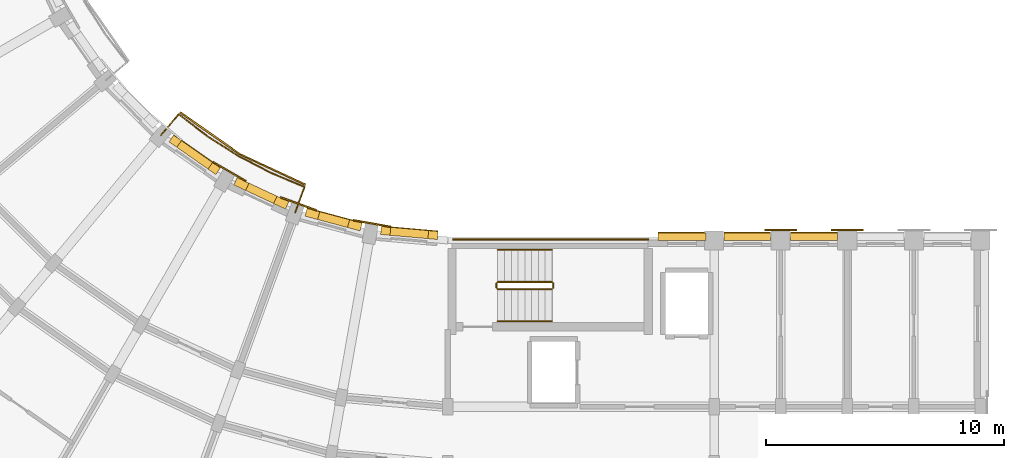
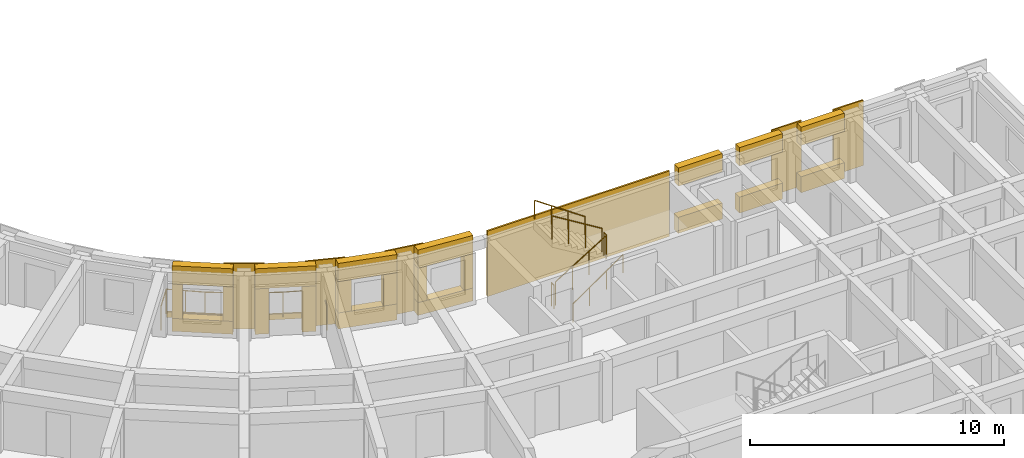
# One storey, part 40 of 54: 28 coverings, 7 railings.
"""IFC4 building model written with IfcOpenShell, lengths in metres."""

from ifc_helpers import new_model, si_unit, direction, frame, origin, origin_2d, place, context, subcontext, project, spatial, polyline, circle, outline, extrude, material, layer, layer_set, type_object, element, save


model = new_model("IFC4")

# Units and contexts
model_context = context("Model", 3, precision=1e-05, world=origin(), true_north=direction((0.0, 1.0)))
body_context = subcontext(model_context, "Body", "Model", "MODEL_VIEW")
ifc_project = project(units=[si_unit("LENGTHUNIT", "METRE"), si_unit("AREAUNIT", "SQUARE_METRE"), si_unit("VOLUMEUNIT", "CUBIC_METRE"), si_unit("PLANEANGLEUNIT", "RADIAN"), si_unit("MASSUNIT", "GRAM", prefix="KILO")], contexts=[model_context])

# Site, building, storey
site_placement = place(None, origin())
site = spatial("IfcSite", under=ifc_project, at=site_placement, CompositionType="ELEMENT")
building_placement = place(site_placement, origin())
building = spatial("IfcBuilding", under=site, at=building_placement, Name="Kiranvali Square Residences", CompositionType="ELEMENT")
storey_placement = place(building_placement, frame((0.0, 0.0, 15.0)))
storey = spatial("IfcBuildingStorey", under=building, at=storey_placement, Name="L04", CompositionType="ELEMENT", Elevation=15.0)

# Coverings
ifc_material_1 = material(Name="Carved Porbandar limestone classical entablature and cornice", Category="masonry")
ifc_layer_1 = layer(ifc_material_1, 0.06201171875)
ifc_layer_set_1 = layer_set([ifc_layer_1], Name="Carved Porbandar limestone classical entablature and cornice")
covering_type_1 = type_object("IfcCoveringType", Name="COV-CLAD-GBAL", PredefinedType="CLADDING", material=ifc_layer_set_1)
covering_1_placement = place(storey_placement, frame((0.0, 0.0, -0.219970703125)))
element("IfcCovering", 1, at=covering_1_placement, inside=storey, type_object=covering_type_1, Name="Block C L04 garden balcony limestone fascia 1", PredefinedType="CLADDING", context=body_context, shape_type="SweptSolid", body=[
    extrude(outline(polyline([(42.221435546875, 31.774169921875), (39.4599609375, 33.061767578125), (36.964111328125, 34.8095703125), (36.92041015625, 34.757568359375), (39.426025390625, 33.0029296875), (42.1982421875, 31.710205078125), (42.221435546875, 31.774169921875)])), origin(), (0.0, 0.0, 1.0), 0.27001953125),
])
ifc_material_2 = material(Name="Honed Porbandar limestone ashlar facade cladding", Category="masonry")
ifc_layer_2 = layer(ifc_material_2, 0.3798828125)
ifc_layer_set_2 = layer_set([ifc_layer_2], Name="Honed Porbandar limestone ashlar facade cladding")
covering_type_2 = type_object("IfcCoveringType", Name="COV-CLAD-JAMB", PredefinedType="CLADDING", material=ifc_layer_set_2)
covering_2_placement = place(storey_placement, frame((0.0, 0.0, 0.6220703125)))
element("IfcCovering", 2, at=covering_2_placement, inside=storey, type_object=covering_type_2, Name="L04 deep limestone window jamb reveal C-L04-GDN-00.L", PredefinedType="CLADDING", context=body_context, shape_type="SweptSolid", body=[
    extrude(outline(polyline([(47.791259765625, 29.777099609375), (47.394287109375, 29.811767578125), (47.36474609375, 29.4736328125), (47.76171875, 29.43896484375), (47.791259765625, 29.777099609375)])), origin(), (0.0, 0.0, 1.0), 1.64990234375),
])
covering_3_placement = place(storey_placement, frame((0.0, 0.0, 0.6220703125)))
element("IfcCovering", 3, at=covering_3_placement, inside=storey, type_object=covering_type_2, Name="L04 deep limestone window jamb reveal C-L04-GDN-00.R", PredefinedType="CLADDING", context=body_context, shape_type="SweptSolid", body=[
    extrude(outline(polyline([(45.80029296875, 29.951171875), (45.4033203125, 29.986083984375), (45.373779296875, 29.647705078125), (45.770751953125, 29.613037109375), (45.80029296875, 29.951171875)])), origin(), (0.0, 0.0, 1.0), 1.64990234375),
])
covering_4_placement = place(storey_placement, frame((0.0, 0.0, 0.77197265625)))
element("IfcCovering", 4, at=covering_4_placement, inside=storey, type_object=covering_type_2, Name="L04 deep limestone window jamb reveal C-L04-GDN-01.L", PredefinedType="CLADDING", context=body_context, shape_type="SweptSolid", body=[
    extrude(outline(polyline([(44.598388671875, 30.1279296875), (44.068603515625, 30.269775390625), (43.980712890625, 29.94189453125), (44.510498046875, 29.800048828125), (44.598388671875, 30.1279296875)])), origin(), (0.0, 0.0, 1.0), 1.5),
])
covering_5_placement = place(storey_placement, frame((0.0, 0.0, 0.77197265625)))
element("IfcCovering", 5, at=covering_5_placement, inside=storey, type_object=covering_type_2, Name="L04 deep limestone window jamb reveal C-L04-GDN-01.R", PredefinedType="CLADDING", context=body_context, shape_type="SweptSolid", body=[
    extrude(outline(polyline([(42.812744140625, 30.6064453125), (42.282958984375, 30.748291015625), (42.195068359375, 30.42041015625), (42.72509765625, 30.2783203125), (42.812744140625, 30.6064453125)])), origin(), (0.0, 0.0, 1.0), 1.5),
])
covering_6_placement = place(storey_placement, origin())
element("IfcCovering", 6, at=covering_6_placement, inside=storey, type_object=covering_type_2, Name="L04 deep limestone window jamb reveal C-L04-GDN-02.L", PredefinedType="CLADDING", context=body_context, shape_type="SweptSolid", body=[
    extrude(outline(polyline([(41.514892578125, 31.02783203125), (41.017822265625, 31.259765625), (40.874267578125, 30.951904296875), (41.37158203125, 30.72021484375), (41.514892578125, 31.02783203125)])), origin(), (0.0, 0.0, 1.0), 2.179931640625),
])
covering_7_placement = place(storey_placement, origin())
element("IfcCovering", 7, at=covering_7_placement, inside=storey, type_object=covering_type_2, Name="L04 deep limestone window jamb reveal C-L04-GDN-02.R", PredefinedType="CLADDING", context=body_context, shape_type="SweptSolid", body=[
    extrude(outline(polyline([(39.839599609375, 31.80908203125), (39.342529296875, 32.041015625), (39.198974609375, 31.733154296875), (39.696044921875, 31.50146484375), (39.839599609375, 31.80908203125)])), origin(), (0.0, 0.0, 1.0), 2.179931640625),
])
covering_8_placement = place(storey_placement, frame((0.0, 0.0, 0.6220703125)))
element("IfcCovering", 8, at=covering_8_placement, inside=storey, type_object=covering_type_2, Name="L04 deep limestone window jamb reveal C-L04-GDN-03.L", PredefinedType="CLADDING", context=body_context, shape_type="SweptSolid", body=[
    extrude(outline(polyline([(38.634521484375, 32.44970703125), (38.30810546875, 32.67822265625), (38.11328125, 32.400146484375), (38.43994140625, 32.171630859375), (38.634521484375, 32.44970703125)])), origin(), (0.0, 0.0, 1.0), 1.64990234375),
])
covering_9_placement = place(storey_placement, frame((0.0, 0.0, 0.6220703125)))
element("IfcCovering", 9, at=covering_9_placement, inside=storey, type_object=covering_type_2, Name="L04 deep limestone window jamb reveal C-L04-GDN-03.R", PredefinedType="CLADDING", context=body_context, shape_type="SweptSolid", body=[
    extrude(outline(polyline([(36.99755859375, 33.595947265625), (36.671142578125, 33.824462890625), (36.476318359375, 33.54638671875), (36.802734375, 33.31787109375), (36.99755859375, 33.595947265625)])), origin(), (0.0, 0.0, 1.0), 1.64990234375),
])
ifc_layer_3 = layer(ifc_material_2, 0.06494140625)
ifc_layer_set_3 = layer_set([ifc_layer_3], Name="Honed Porbandar limestone ashlar facade cladding")
covering_type_3 = type_object("IfcCoveringType", Name="COV-CLAD-PIER", PredefinedType="CLADDING", material=ifc_layer_set_3)
covering_10_placement = place(storey_placement, frame((0.0, 0.0, 0.0048828125)))
element("IfcCovering", 10, at=covering_10_placement, inside=storey, type_object=covering_type_3, Name="Block C L04 garden stair limestone ashlar cladding", PredefinedType="CLADDING", context=body_context, shape_type="SweptSolid", body=[
    extrude(outline(polyline([(48.39990234375, 29.402099609375), (56.64990234375, 29.402099609375), (56.64990234375, 29.47998046875), (48.39990234375, 29.47998046875), (48.39990234375, 29.402099609375)])), origin(), (0.0, 0.0, 1.0), 3.14013671875),
])
ifc_layer_4 = layer(ifc_material_2, 0.050048828125)
ifc_layer_set_4 = layer_set([ifc_layer_4], Name="Honed Porbandar limestone ashlar facade cladding")
covering_type_4 = type_object("IfcCoveringType", Name="COV-CLAD-PIER-IN", PredefinedType="CLADDING", material=ifc_layer_set_4)
covering_11_placement = place(storey_placement, frame((0.0, 0.0, 0.0048828125)))
element("IfcCovering", 11, at=covering_11_placement, inside=storey, type_object=covering_type_4, Name="L04 Classical garden courtyard pilaster CLAD-PRIN-C-L04-A01", PredefinedType="CLADDING", context=body_context, shape_type="SweptSolid", body=[
    extrude(outline(polyline([(45.804443359375, 30.007568359375), (44.228759765625, 30.285400390625), (44.217041015625, 30.218994140625), (45.792724609375, 29.941162109375), (45.804443359375, 30.007568359375)])), origin(), (0.0, 0.0, 1.0), 3.14013671875),
])
covering_12_placement = place(storey_placement, frame((0.0, 0.0, 0.0048828125)))
element("IfcCovering", 12, at=covering_12_placement, inside=storey, type_object=covering_type_4, Name="L04 Classical garden courtyard pilaster CLAD-PRIN-C-L04-A02", PredefinedType="CLADDING", context=body_context, shape_type="SweptSolid", body=[
    extrude(outline(polyline([(42.681884765625, 30.699951171875), (41.17822265625, 31.2470703125), (41.1552734375, 31.183837890625), (42.65869140625, 30.636474609375), (42.681884765625, 30.699951171875)])), origin(), (0.0, 0.0, 1.0), 3.14013671875),
])
covering_13_placement = place(storey_placement, frame((0.0, 0.0, 0.0048828125)))
element("IfcCovering", 13, at=covering_13_placement, inside=storey, type_object=covering_type_4, Name="L04 Classical garden courtyard pilaster CLAD-PRIN-C-L04-A03", PredefinedType="CLADDING", context=body_context, shape_type="SweptSolid", body=[
    extrude(outline(polyline([(39.726806640625, 31.924072265625), (38.341064453125, 32.72412109375), (38.307373046875, 32.66552734375), (39.693115234375, 31.865478515625), (39.726806640625, 31.924072265625)])), origin(), (0.0, 0.0, 1.0), 3.14013671875),
])
covering_14_placement = place(storey_placement, frame((0.0, 0.0, 0.0048828125)))
element("IfcCovering", 14, at=covering_14_placement, inside=storey, type_object=covering_type_4, Name="L04 Classical limestone pilaster casing CLAD-PRA1I-C-L04-U140", PredefinedType="CLADDING", context=body_context, shape_type="SweptSolid", body=[
    extrude(outline(polyline([(61.52001953125, 29.800537109375), (62.8798828125, 29.800537109375), (62.8798828125, 29.867919921875), (61.52001953125, 29.867919921875), (61.52001953125, 29.800537109375)])), origin(), (0.0, 0.0, 1.0), 3.14013671875),
])
covering_15_placement = place(storey_placement, frame((0.0, 0.0, 0.0048828125)))
element("IfcCovering", 15, at=covering_15_placement, inside=storey, type_object=covering_type_4, Name="L04 Classical limestone pilaster casing CLAD-PRA1I-C-L04-U167", PredefinedType="CLADDING", context=body_context, shape_type="SweptSolid", body=[
    extrude(outline(polyline([(64.320068359375, 29.800537109375), (65.679931640625, 29.800537109375), (65.679931640625, 29.867919921875), (64.320068359375, 29.867919921875), (64.320068359375, 29.800537109375)])), origin(), (0.0, 0.0, 1.0), 3.14013671875),
])
ifc_layer_5 = layer(ifc_material_2, 0.360107421875)
ifc_layer_set_5 = layer_set([ifc_layer_5], Name="Honed Porbandar limestone ashlar facade cladding")
covering_type_5 = type_object("IfcCoveringType", Name="COV-CLAD-WALL", PredefinedType="CLADDING", material=ifc_layer_set_5)
covering_16_placement = place(storey_placement, frame((0.0, 0.0, 2.27197265625)))
element("IfcCovering", 16, at=covering_16_placement, inside=storey, type_object=covering_type_5, Name="L04 light limestone spandrel lintel C-L04-GDN-00", PredefinedType="CLADDING", context=body_context, shape_type="SweptSolid", body=[
    extrude(outline(polyline([(47.791259765625, 29.777099609375), (45.4033203125, 29.986083984375), (45.373779296875, 29.647705078125), (47.76171875, 29.43896484375), (47.791259765625, 29.777099609375)])), origin(), (0.0, 0.0, 1.0), 0.873046875),
])
covering_17_placement = place(storey_placement, frame((0.0, 0.0, 2.27197265625)))
element("IfcCovering", 17, at=covering_17_placement, inside=storey, type_object=covering_type_5, Name="L04 light limestone spandrel lintel C-L04-GDN-01", PredefinedType="CLADDING", context=body_context, shape_type="SweptSolid", body=[
    extrude(outline(polyline([(44.598388671875, 30.1279296875), (42.282958984375, 30.748291015625), (42.195068359375, 30.42041015625), (44.510498046875, 29.800048828125), (44.598388671875, 30.1279296875)])), origin(), (0.0, 0.0, 1.0), 0.873046875),
])
covering_18_placement = place(storey_placement, frame((0.0, 0.0, 2.179931640625)))
element("IfcCovering", 18, at=covering_18_placement, inside=storey, type_object=covering_type_5, Name="L04 light limestone spandrel lintel C-L04-GDN-02", PredefinedType="CLADDING", context=body_context, shape_type="SweptSolid", body=[
    extrude(outline(polyline([(41.514892578125, 31.02783203125), (39.342529296875, 32.041015625), (39.198974609375, 31.733154296875), (41.37158203125, 30.72021484375), (41.514892578125, 31.02783203125)])), origin(), (0.0, 0.0, 1.0), 0.965087890625),
])
covering_19_placement = place(storey_placement, frame((0.0, 0.0, 2.27197265625)))
element("IfcCovering", 19, at=covering_19_placement, inside=storey, type_object=covering_type_5, Name="L04 light limestone spandrel lintel C-L04-GDN-03", PredefinedType="CLADDING", context=body_context, shape_type="SweptSolid", body=[
    extrude(outline(polyline([(38.634521484375, 32.44970703125), (36.671142578125, 33.824462890625), (36.476318359375, 33.54638671875), (38.43994140625, 32.171630859375), (38.634521484375, 32.44970703125)])), origin(), (0.0, 0.0, 1.0), 0.873046875),
])
covering_20_placement = place(storey_placement, frame((0.0, 0.0, 2.27197265625)))
element("IfcCovering", 20, at=covering_20_placement, inside=storey, type_object=covering_type_5, Name="L04 light limestone spandrel lintel C-L04-A1IN-0", PredefinedType="CLADDING", context=body_context, shape_type="SweptSolid", body=[
    extrude(outline(polyline([(57.050048828125, 29.400390625), (59.050048828125, 29.400390625), (59.050048828125, 29.719970703125), (57.050048828125, 29.719970703125), (57.050048828125, 29.400390625)])), origin(), (0.0, 0.0, 1.0), 0.873046875),
])
covering_21_placement = place(storey_placement, frame((0.0, 0.0, 0.0048828125)))
element("IfcCovering", 21, at=covering_21_placement, inside=storey, type_object=covering_type_5, Name="L04 limestone window sill apron C-L04-A1IN-0", PredefinedType="CLADDING", context=body_context, shape_type="SweptSolid", body=[
    extrude(outline(polyline([(57.050048828125, 29.400390625), (59.050048828125, 29.400390625), (59.050048828125, 29.75), (57.050048828125, 29.75), (57.050048828125, 29.400390625)])), origin(), (0.0, 0.0, 1.0), 0.76708984375),
])
covering_22_placement = place(storey_placement, frame((0.0, 0.0, 2.27197265625)))
element("IfcCovering", 22, at=covering_22_placement, inside=storey, type_object=covering_type_5, Name="L04 light limestone spandrel lintel C-L04-A1I-0", PredefinedType="CLADDING", context=body_context, shape_type="SweptSolid", body=[
    extrude(outline(polyline([(59.820068359375, 29.400390625), (61.780029296875, 29.400390625), (61.780029296875, 29.719970703125), (59.820068359375, 29.719970703125), (59.820068359375, 29.400390625)])), origin(), (0.0, 0.0, 1.0), 0.873046875),
])
covering_23_placement = place(storey_placement, frame((0.0, 0.0, 0.0048828125)))
element("IfcCovering", 23, at=covering_23_placement, inside=storey, type_object=covering_type_5, Name="L04 limestone window sill apron C-L04-A1I-0", PredefinedType="CLADDING", context=body_context, shape_type="SweptSolid", body=[
    extrude(outline(polyline([(59.820068359375, 29.400390625), (61.780029296875, 29.400390625), (61.780029296875, 29.75), (59.820068359375, 29.75), (59.820068359375, 29.400390625)])), origin(), (0.0, 0.0, 1.0), 0.76708984375),
])
covering_24_placement = place(storey_placement, frame((0.0, 0.0, 2.27197265625)))
element("IfcCovering", 24, at=covering_24_placement, inside=storey, type_object=covering_type_5, Name="L04 light limestone spandrel lintel C-L04-A1I-1", PredefinedType="CLADDING", context=body_context, shape_type="SweptSolid", body=[
    extrude(outline(polyline([(62.6201171875, 29.400390625), (64.580078125, 29.400390625), (64.580078125, 29.719970703125), (62.6201171875, 29.719970703125), (62.6201171875, 29.400390625)])), origin(), (0.0, 0.0, 1.0), 0.873046875),
])
covering_25_placement = place(storey_placement, frame((0.0, 0.0, 0.0048828125)))
element("IfcCovering", 25, at=covering_25_placement, inside=storey, type_object=covering_type_5, Name="L04 limestone window sill apron C-L04-A1I-1", PredefinedType="CLADDING", context=body_context, shape_type="SweptSolid", body=[
    extrude(outline(polyline([(62.6201171875, 29.400390625), (64.580078125, 29.400390625), (64.580078125, 29.75), (62.6201171875, 29.75), (62.6201171875, 29.400390625)])), origin(), (0.0, 0.0, 1.0), 0.76708984375),
])
ifc_layer_6 = layer(ifc_material_2, 0.2900390625)
ifc_layer_set_6 = layer_set([ifc_layer_6], Name="Honed Porbandar limestone ashlar facade cladding")
covering_type_6 = type_object("IfcCoveringType", Name="COV-CLAD-WALL-IN", PredefinedType="CLADDING", material=ifc_layer_set_6)
covering_26_placement = place(storey_placement, frame((0.0, 0.0, 0.0048828125)))
element("IfcCovering", 26, at=covering_26_placement, inside=storey, type_object=covering_type_6, Name="L04 limestone window sill apron C-L04-GDN-00", PredefinedType="CLADDING", context=body_context, shape_type="SweptSolid", body=[
    extrude(outline(polyline([(47.7939453125, 29.806884765625), (45.406005859375, 30.015869140625), (45.373779296875, 29.647705078125), (47.76171875, 29.43896484375), (47.7939453125, 29.806884765625)])), origin(), (0.0, 0.0, 1.0), 0.6171875),
])
covering_27_placement = place(storey_placement, frame((0.0, 0.0, 0.0048828125)))
element("IfcCovering", 27, at=covering_27_placement, inside=storey, type_object=covering_type_6, Name="L04 limestone window sill apron C-L04-GDN-01", PredefinedType="CLADDING", context=body_context, shape_type="SweptSolid", body=[
    extrude(outline(polyline([(44.606201171875, 30.156982421875), (42.290771484375, 30.77734375), (42.195068359375, 30.42041015625), (44.510498046875, 29.800048828125), (44.606201171875, 30.156982421875)])), origin(), (0.0, 0.0, 1.0), 0.76708984375),
])
covering_28_placement = place(storey_placement, frame((0.0, 0.0, 0.0048828125)))
element("IfcCovering", 28, at=covering_28_placement, inside=storey, type_object=covering_type_6, Name="L04 limestone window sill apron C-L04-GDN-03", PredefinedType="CLADDING", context=body_context, shape_type="SweptSolid", body=[
    extrude(outline(polyline([(38.65185546875, 32.47412109375), (36.688232421875, 33.84912109375), (36.476318359375, 33.54638671875), (38.43994140625, 32.171630859375), (38.65185546875, 32.47412109375)])), origin(), (0.0, 0.0, 1.0), 0.6171875),
])

# Railings
ifc_material_3 = material(Name="Powder-coated architectural bronze balustrade", Category="steel")
railing_type_1 = type_object("IfcRailingType", Name="RL-BAL-GOLD-1200", PredefinedType="BALUSTRADE", material=ifc_material_3)
railing_1_placement = place(storey_placement, frame((41.78369140625, 30.5712890625, 0.0)))
element("IfcRailing", 29, at=railing_1_placement, inside=storey, type_object=railing_type_1, Name="Block C L04 garden balcony gold balustrade 1", PredefinedType="BALUSTRADE", context=body_context, shape_type="SweptSolid", body=[
    extrude(circle(Radius=0.02392578125, at=origin_2d()), frame((0.0, 0.0, 1.17578125), z_axis=(0.341964618562, 0.939712828289, 0.0), x_axis=(-0.939712828289, 0.341964618562, 0.0)), (0.0, 0.0, 1.0), 1.150146484375),
    extrude(circle(Radius=0.02392578125, at=origin_2d()), frame((0.393310546875, 1.080810546875, 1.17578125), z_axis=(-0.923892883829, 0.382651197843, 0.0), x_axis=(-0.382651197843, -0.923892883829, 0.0)), (0.0, 0.0, 1.0), 1.536376953125),
    extrude(circle(Radius=0.02392578125, at=origin_2d()), frame((-1.026123046875, 1.668701171875, 1.17578125), z_axis=(-0.887029366154, 0.461713009976, 0.0), x_axis=(-0.461713009976, -0.887029366154, 0.0)), (0.0, 0.0, 1.0), 1.5361328125),
    extrude(circle(Radius=0.02392578125, at=origin_2d()), frame((-2.388671875, 2.3779296875, 1.17578125), z_axis=(-0.843386539688, 0.537307309343, 0.0), x_axis=(-0.537307309343, -0.843386539688, 0.0)), (0.0, 0.0, 1.0), 1.5361328125),
    extrude(circle(Radius=0.02392578125, at=origin_2d()), frame((-3.684326171875, 3.203369140625, 1.17578125), z_axis=(-0.793314680996, 0.608811807471, 0.0), x_axis=(-0.608811807471, -0.793314680996, 0.0)), (0.0, 0.0, 1.0), 1.536376953125),
    extrude(circle(Radius=0.02392578125, at=origin_2d()), frame((-4.903076171875, 4.138671875, 1.17578125), z_axis=(-0.642853454051, -0.765989188314, 0.0), x_axis=(0.765989188314, -0.642853454051, 0.0)), (0.0, 0.0, 1.0), 1.14990234375),
    extrude(circle(Radius=0.02099609375, at=origin_2d()), origin(), (0.0, 0.0, 1.0), 1.15185546875),
    extrude(circle(Radius=0.02099609375, at=origin_2d()), frame((0.393310546875, 1.080810546875, 0.0)), (0.0, 0.0, 1.0), 1.15185546875),
    extrude(circle(Radius=0.02099609375, at=origin_2d()), frame((-0.31640625, 1.374755859375, 0.0)), (0.0, 0.0, 1.0), 1.15185546875),
    extrude(circle(Radius=0.02099609375, at=origin_2d()), frame((-1.026123046875, 1.668701171875, 0.0)), (0.0, 0.0, 1.0), 1.15185546875),
    extrude(circle(Radius=0.02099609375, at=origin_2d()), frame((-1.70751953125, 2.0234375, 0.0)), (0.0, 0.0, 1.0), 1.15185546875),
    extrude(circle(Radius=0.02099609375, at=origin_2d()), frame((-2.388671875, 2.3779296875, 0.0)), (0.0, 0.0, 1.0), 1.15185546875),
    extrude(circle(Radius=0.02099609375, at=origin_2d()), frame((-3.03662109375, 2.79052734375, 0.0)), (0.0, 0.0, 1.0), 1.15185546875),
    extrude(circle(Radius=0.02099609375, at=origin_2d()), frame((-3.684326171875, 3.203369140625, 0.0)), (0.0, 0.0, 1.0), 1.15185546875),
    extrude(circle(Radius=0.02099609375, at=origin_2d()), frame((-4.293701171875, 3.6708984375, 0.0)), (0.0, 0.0, 1.0), 1.15185546875),
    extrude(circle(Radius=0.02099609375, at=origin_2d()), frame((-4.903076171875, 4.138671875, 0.0)), (0.0, 0.0, 1.0), 1.15185546875),
    extrude(circle(Radius=0.02099609375, at=origin_2d()), frame((-5.642333984375, 3.2578125, 0.0)), (0.0, 0.0, 1.0), 1.15185546875),
])
ifc_material_4 = material(Name="Brushed stainless steel tubular handrail", Category="steel")
railing_type_2 = type_object("IfcRailingType", Name="RL-HANDRAIL-900", PredefinedType="HANDRAIL", material=ifc_material_4)
railing_2_placement = place(storey_placement, frame((50.300048828125, 26.0, 0.175048828125)))
element("IfcRailing", 30, at=railing_2_placement, inside=storey, type_object=railing_type_2, Name="L04 ST-C2 stair handrail 1", PredefinedType="HANDRAIL", context=body_context, shape_type="SweptSolid", body=[
    extrude(circle(Radius=0.02392578125, at=origin_2d()), frame((0.0, 0.0, 0.8759765625), z_axis=(0.82278801735, 0.0, 0.568348377763), x_axis=(0.0, 1.0, 0.0)), (0.0, 0.0, 1.0), 2.77099609375),
    extrude(circle(Radius=0.02099609375, at=origin_2d()), origin(), (0.0, 0.0, 1.0), 0.851806640625),
    extrude(circle(Radius=0.02099609375, at=origin_2d()), frame((0.760009765625, 0.0, 0.52490234375)), (0.0, 0.0, 1.0), 0.851806640625),
    extrude(circle(Radius=0.02099609375, at=origin_2d()), frame((1.52001953125, 0.0, 1.050048828125)), (0.0, 0.0, 1.0), 0.851806640625),
    extrude(circle(Radius=0.02099609375, at=origin_2d()), frame((2.280029296875, 0.0, 1.574951171875)), (0.0, 0.0, 1.0), 0.851806640625),
])
railing_3_placement = place(storey_placement, frame((52.580078125, 29.0, 1.75)))
element("IfcRailing", 31, at=railing_3_placement, inside=storey, type_object=railing_type_2, Name="L04 ST-C2 stair handrail 2", PredefinedType="HANDRAIL", context=body_context, shape_type="SweptSolid", body=[
    extrude(circle(Radius=0.02392578125, at=origin_2d()), frame((0.0, 0.0, 0.8759765625), z_axis=(-0.82278801735, 0.0, 0.568348377763), x_axis=(0.0, -1.0, 0.0)), (0.0, 0.0, 1.0), 2.77099609375),
    extrude(circle(Radius=0.02099609375, at=origin_2d()), origin(), (0.0, 0.0, 1.0), 0.851806640625),
    extrude(circle(Radius=0.02099609375, at=origin_2d()), frame((-0.760009765625, 0.0, 0.52490234375)), (0.0, 0.0, 1.0), 0.851806640625),
    extrude(circle(Radius=0.02099609375, at=origin_2d()), frame((-1.52001953125, 0.0, 1.050048828125)), (0.0, 0.0, 1.0), 0.851806640625),
    extrude(circle(Radius=0.02099609375, at=origin_2d()), frame((-2.280029296875, 0.0, 1.574951171875)), (0.0, 0.0, 1.0), 0.851806640625),
])
railing_type_3 = type_object("IfcRailingType", Name="RL-ST-GUARD-1200", PredefinedType="GUARDRAIL", material=ifc_material_3)
railing_4_placement = place(storey_placement, frame((50.300048828125, 27.35009765625, 0.175048828125)))
element("IfcRailing", 32, at=railing_4_placement, inside=storey, type_object=railing_type_3, Name="L04 ST-C2 stair guard 1", PredefinedType="GUARDRAIL", context=body_context, shape_type="SweptSolid", body=[
    extrude(circle(Radius=0.02392578125, at=origin_2d()), frame((0.0, 0.0, 1.1259765625), z_axis=(0.852190499154, 0.0, 0.523231643875), x_axis=(0.0, 1.0, 0.0)), (0.0, 0.0, 1.0), 2.675537109375),
    extrude(circle(Radius=0.02099609375, at=origin_2d()), origin(), (0.0, 0.0, 1.0), 1.101806640625),
    extrude(circle(Radius=0.02099609375, at=origin_2d()), frame((0.760009765625, 0.0, 0.466552734375)), (0.0, 0.0, 1.0), 1.101806640625),
    extrude(circle(Radius=0.02099609375, at=origin_2d()), frame((1.52001953125, 0.0, 0.933349609375)), (0.0, 0.0, 1.0), 1.101806640625),
    extrude(circle(Radius=0.02099609375, at=origin_2d()), frame((2.280029296875, 0.0, 1.39990234375)), (0.0, 0.0, 1.0), 1.101806640625),
])
railing_5_placement = place(storey_placement, frame((52.6298828125, 27.39990234375, 1.574951171875)))
element("IfcRailing", 33, at=railing_5_placement, inside=storey, type_object=railing_type_3, Name="L04 ST-C2 stair guard 2", PredefinedType="GUARDRAIL", context=body_context, shape_type="SweptSolid", body=[
    extrude(circle(Radius=0.02392578125, at=origin_2d()), frame((0.0, 0.0, 1.1259765625), z_axis=(0.0, 1.0, 0.0), x_axis=(-1.0, 0.0, 0.0)), (0.0, 0.0, 1.0), 0.2001953125),
    extrude(circle(Radius=0.02099609375, at=origin_2d()), origin(), (0.0, 0.0, 1.0), 1.101806640625),
    extrude(circle(Radius=0.02099609375, at=origin_2d()), frame((0.0, 0.2001953125, 0.0)), (0.0, 0.0, 1.0), 1.101806640625),
])
railing_6_placement = place(storey_placement, frame((52.580078125, 27.64990234375, 1.75)))
element("IfcRailing", 34, at=railing_6_placement, inside=storey, type_object=railing_type_3, Name="L04 ST-C2 stair guard 3", PredefinedType="GUARDRAIL", context=body_context, shape_type="SweptSolid", body=[
    extrude(circle(Radius=0.02392578125, at=origin_2d()), frame((0.0, 0.0, 1.1259765625), z_axis=(-0.852190499154, 0.0, 0.523231643875), x_axis=(0.0, -1.0, 0.0)), (0.0, 0.0, 1.0), 2.675537109375),
    extrude(circle(Radius=0.02099609375, at=origin_2d()), origin(), (0.0, 0.0, 1.0), 1.101806640625),
    extrude(circle(Radius=0.02099609375, at=origin_2d()), frame((-0.760009765625, 0.0, 0.466552734375)), (0.0, 0.0, 1.0), 1.101806640625),
    extrude(circle(Radius=0.02099609375, at=origin_2d()), frame((-1.52001953125, 0.0, 0.933349609375)), (0.0, 0.0, 1.0), 1.101806640625),
    extrude(circle(Radius=0.02099609375, at=origin_2d()), frame((-2.280029296875, 0.0, 1.39990234375)), (0.0, 0.0, 1.0), 1.101806640625),
])
railing_7_placement = place(storey_placement, frame((50.25, 27.39990234375, 0.0)))
element("IfcRailing", 35, at=railing_7_placement, inside=storey, type_object=railing_type_3, Name="L04 ST-C2 stair guard 4", PredefinedType="GUARDRAIL", context=body_context, shape_type="SweptSolid", body=[
    extrude(circle(Radius=0.02392578125, at=origin_2d()), frame((0.0, 0.0, 1.1259765625), z_axis=(0.0, 1.0, 0.0), x_axis=(-1.0, 0.0, 0.0)), (0.0, 0.0, 1.0), 0.2001953125),
    extrude(circle(Radius=0.02099609375, at=origin_2d()), origin(), (0.0, 0.0, 1.0), 1.101806640625),
    extrude(circle(Radius=0.02099609375, at=origin_2d()), frame((0.0, 0.2001953125, 0.0)), (0.0, 0.0, 1.0), 1.101806640625),
])

save(model, "model.ifc")
